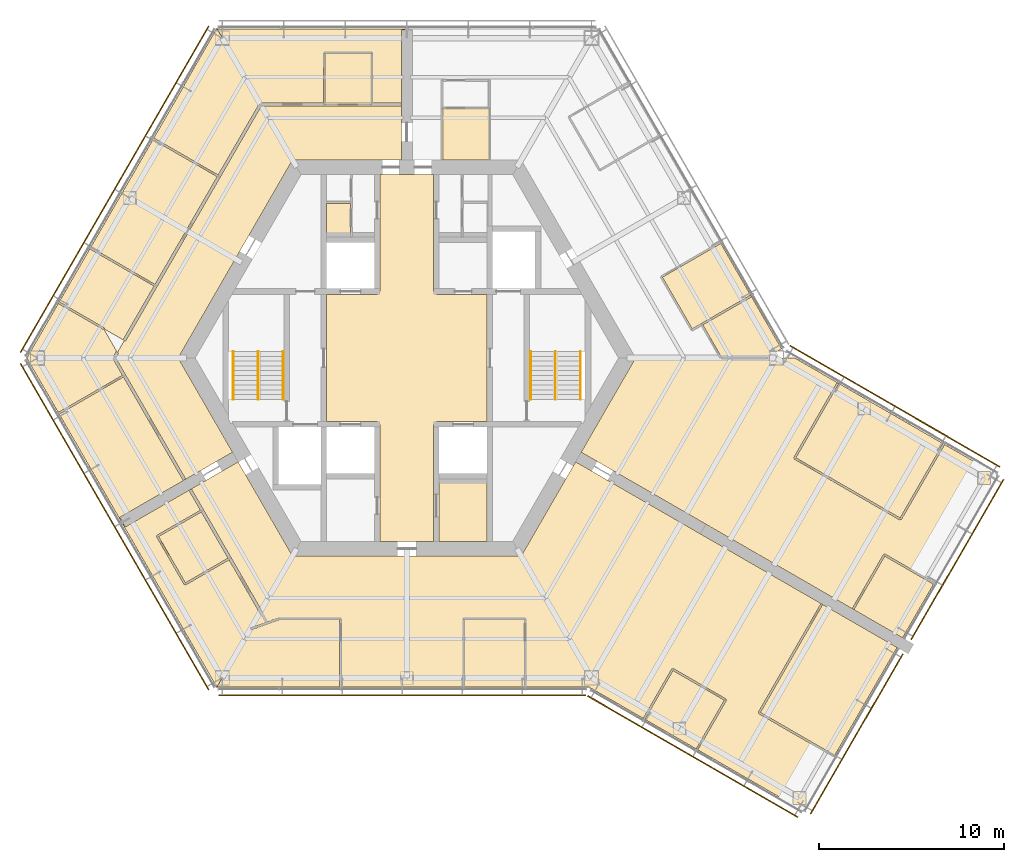
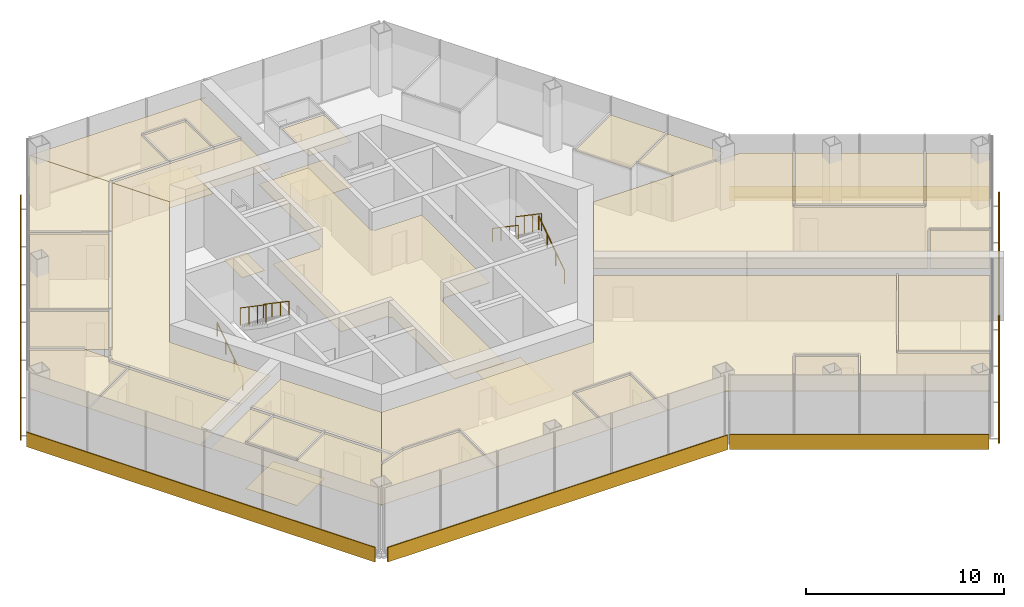
# One storey, part 15 of 16: 29 coverings, 7 shading devices, 6 railings.
"""IFC4 building model written with IfcOpenShell, lengths in metres."""

from ifc_helpers import new_model, si_unit, direction, frame, origin, origin_2d, place, context, subcontext, project, spatial, polyline, rectangle, circle, outline, extrude, material, layer, layer_set, type_object, element, save


model = new_model("IFC4")

# Units and contexts
model_context = context("Model", 3, precision=1e-05, world=origin(), true_north=direction((0.0, 1.0)))
body_context = subcontext(model_context, "Body", "Model", "MODEL_VIEW")
ifc_project = project(units=[si_unit("LENGTHUNIT", "METRE"), si_unit("AREAUNIT", "SQUARE_METRE"), si_unit("VOLUMEUNIT", "CUBIC_METRE"), si_unit("PLANEANGLEUNIT", "RADIAN"), si_unit("MASSUNIT", "GRAM", prefix="KILO")], contexts=[model_context])

# Site, building, storey
site_placement = place(None, origin())
site = spatial("IfcSite", under=ifc_project, at=site_placement, CompositionType="ELEMENT")
building_placement = place(site_placement, origin())
building = spatial("IfcBuilding", under=site, at=building_placement, Name="Kasaneha Research Tower", CompositionType="ELEMENT")
storey_placement = place(building_placement, frame((0.0, 0.0, 251.800048828125)))
storey = spatial("IfcBuildingStorey", under=building, at=storey_placement, Name="L63", CompositionType="ELEMENT", Elevation=251.800048828125)

# Covering
ifc_material_1 = material(Name="Aluminium panel ceiling", Category="aluminium")
ifc_layer_1 = layer(ifc_material_1, 0.0400390625)
ifc_layer_set_1 = layer_set([ifc_layer_1], Name="Lift lobby ceiling 40")
covering_type_1 = type_object("IfcCoveringType", Name="Lift lobby ceiling 40", PredefinedType="CEILING", material=ifc_layer_set_1)
covering_1_placement = place(storey_placement, frame((0.0, 0.0, 2.699951171875)))
element("IfcCovering", 1, at=covering_1_placement, inside=storey, type_object=covering_type_1, Name="Ceiling L63-01", PredefinedType="CEILING", context=body_context, shape_type="SweptSolid", body=[
    extrude(outline(polyline([(1.449951171875, 9.925048828125), (1.449951171875, 3.60009765625), (1.60009765625, 3.60009765625), (1.60009765625, 3.449951171875), (4.35009765625, 3.449951171875), (4.35009765625, -3.449951171875), (1.60009765625, -3.449951171875), (1.60009765625, -3.60009765625), (1.449951171875, -3.60009765625), (1.449951171875, -9.925048828125), (-1.449951171875, -9.925048828125), (-1.449951171875, -3.60009765625), (-1.60009765625, -3.60009765625), (-1.60009765625, -3.449951171875), (-4.35009765625, -3.449951171875), (-4.35009765625, 3.449951171875), (-1.60009765625, 3.449951171875), (-1.60009765625, 3.60009765625), (-1.449951171875, 3.60009765625), (-1.449951171875, 9.925048828125), (1.449951171875, 9.925048828125)])), origin(), (0.0, 0.0, 1.0), 0.0400390625),
])

# Railings
ifc_material_2 = material(Name="Steel", Category="steel")
railing_type_1 = type_object("IfcRailingType", Name="Stair balustrade 1100", PredefinedType="GUARDRAIL", material=ifc_material_2)
for number, where, name in (
    (2, (8.050048828125, 0.35009765625, 2.127197265625), "Stair 1 balustrade L63"),
    (3, (-8.050048828125, 0.35009765625, 2.127197265625), "Stair 2 balustrade L63"),
):
    element("IfcRailing", number, at=place(storey_placement, frame(where)), inside=storey, type_object=railing_type_1, Name=name, PredefinedType="GUARDRAIL", context=body_context, shape_type="SweptSolid", body=[
        extrude(circle(Radius=0.02392578125, at=origin_2d()), frame((0.0, 0.0, 1.076171875), z_axis=(0.0, -0.826240473404, 0.563317565952), x_axis=(1.0, 0.0, 0.0)), (0.0, 0.0, 1.0), 3.14697265625),
        extrude(circle(Radius=0.02099609375, at=origin_2d()), origin(), (0.0, 0.0, 1.0), 1.052001953125),
        extrude(circle(Radius=0.02099609375, at=origin_2d()), frame((0.0, -0.86669921875, 0.5908203125)), (0.0, 0.0, 1.0), 1.052001953125),
        extrude(circle(Radius=0.02099609375, at=origin_2d()), frame((0.0, -1.7333984375, 1.181884765625)), (0.0, 0.0, 1.0), 1.052001953125),
        extrude(circle(Radius=0.02099609375, at=origin_2d()), frame((0.0, -2.60009765625, 1.772705078125)), (0.0, 0.0, 1.0), 1.052001953125),
    ])
ifc_material_3 = material(Name="Steel", Category="steel")
railing_type_2 = type_object("IfcRailingType", Name="Stair handrail 850", PredefinedType="HANDRAIL", material=ifc_material_3)
railing_1_placement = place(storey_placement, frame((9.39990234375, -2.25, 0.17724609375)))
element("IfcRailing", 4, at=railing_1_placement, inside=storey, type_object=railing_type_2, Name="Stair 1 handrail L63", PredefinedType="HANDRAIL", context=body_context, shape_type="SweptSolid", body=[
    extrude(circle(Radius=0.02392578125, at=origin_2d()), frame((0.0, 0.0, 0.826171875), z_axis=(0.0, 0.826240473404, 0.563317565952), x_axis=(-1.0, 0.0, 0.0)), (0.0, 0.0, 1.0), 3.14697265625),
    extrude(circle(Radius=0.02099609375, at=origin_2d()), origin(), (0.0, 0.0, 1.0), 0.802001953125),
    extrude(circle(Radius=0.02099609375, at=origin_2d()), frame((0.0, 0.86669921875, 0.5908203125)), (0.0, 0.0, 1.0), 0.802001953125),
    extrude(circle(Radius=0.02099609375, at=origin_2d()), frame((0.0, 1.7333984375, 1.181884765625)), (0.0, 0.0, 1.0), 0.802001953125),
    extrude(circle(Radius=0.02099609375, at=origin_2d()), frame((0.0, 2.60009765625, 1.772705078125)), (0.0, 0.0, 1.0), 0.802001953125),
])
railing_2_placement = place(storey_placement, frame((6.699951171875, 0.35009765625, 2.127197265625)))
element("IfcRailing", 5, at=railing_2_placement, inside=storey, type_object=railing_type_2, Name="Stair 1 handrail L63", PredefinedType="HANDRAIL", context=body_context, shape_type="SweptSolid", body=[
    extrude(circle(Radius=0.02392578125, at=origin_2d()), frame((0.0, 0.0, 0.826171875), z_axis=(0.0, -0.826240473404, 0.563317565952), x_axis=(1.0, 0.0, 0.0)), (0.0, 0.0, 1.0), 3.14697265625),
    extrude(circle(Radius=0.02099609375, at=origin_2d()), origin(), (0.0, 0.0, 1.0), 0.802001953125),
    extrude(circle(Radius=0.02099609375, at=origin_2d()), frame((0.0, -0.86669921875, 0.5908203125)), (0.0, 0.0, 1.0), 0.802001953125),
    extrude(circle(Radius=0.02099609375, at=origin_2d()), frame((0.0, -1.7333984375, 1.181884765625)), (0.0, 0.0, 1.0), 0.802001953125),
    extrude(circle(Radius=0.02099609375, at=origin_2d()), frame((0.0, -2.60009765625, 1.772705078125)), (0.0, 0.0, 1.0), 0.802001953125),
])
railing_3_placement = place(storey_placement, frame((-9.39990234375, -2.25, 0.17724609375)))
element("IfcRailing", 6, at=railing_3_placement, inside=storey, type_object=railing_type_2, Name="Stair 2 handrail L63", PredefinedType="HANDRAIL", context=body_context, shape_type="SweptSolid", body=[
    extrude(circle(Radius=0.02392578125, at=origin_2d()), frame((0.0, 0.0, 0.826171875), z_axis=(0.0, 0.826240473404, 0.563317565952), x_axis=(-1.0, 0.0, 0.0)), (0.0, 0.0, 1.0), 3.14697265625),
    extrude(circle(Radius=0.02099609375, at=origin_2d()), origin(), (0.0, 0.0, 1.0), 0.802001953125),
    extrude(circle(Radius=0.02099609375, at=origin_2d()), frame((0.0, 0.86669921875, 0.5908203125)), (0.0, 0.0, 1.0), 0.802001953125),
    extrude(circle(Radius=0.02099609375, at=origin_2d()), frame((0.0, 1.7333984375, 1.181884765625)), (0.0, 0.0, 1.0), 0.802001953125),
    extrude(circle(Radius=0.02099609375, at=origin_2d()), frame((0.0, 2.60009765625, 1.772705078125)), (0.0, 0.0, 1.0), 0.802001953125),
])
railing_4_placement = place(storey_placement, frame((-6.699951171875, 0.35009765625, 2.127197265625)))
element("IfcRailing", 7, at=railing_4_placement, inside=storey, type_object=railing_type_2, Name="Stair 2 handrail L63", PredefinedType="HANDRAIL", context=body_context, shape_type="SweptSolid", body=[
    extrude(circle(Radius=0.02392578125, at=origin_2d()), frame((0.0, 0.0, 0.826171875), z_axis=(0.0, -0.826240473404, 0.563317565952), x_axis=(1.0, 0.0, 0.0)), (0.0, 0.0, 1.0), 3.14697265625),
    extrude(circle(Radius=0.02099609375, at=origin_2d()), origin(), (0.0, 0.0, 1.0), 0.802001953125),
    extrude(circle(Radius=0.02099609375, at=origin_2d()), frame((0.0, -0.86669921875, 0.5908203125)), (0.0, 0.0, 1.0), 0.802001953125),
    extrude(circle(Radius=0.02099609375, at=origin_2d()), frame((0.0, -1.7333984375, 1.181884765625)), (0.0, 0.0, 1.0), 0.802001953125),
    extrude(circle(Radius=0.02099609375, at=origin_2d()), frame((0.0, -2.60009765625, 1.772705078125)), (0.0, 0.0, 1.0), 0.802001953125),
])

# Coverings
ifc_material_4 = material(Name="Gypsum ceiling board", Category="gypsum")
ifc_layer_2 = layer(ifc_material_4, 0.02001953125)
ifc_layer_set_2 = layer_set([ifc_layer_2], Name="Suspended ceiling 20")
covering_type_2 = type_object("IfcCoveringType", Name="Suspended ceiling 20", PredefinedType="CEILING", material=ifc_layer_set_2)
covering_2_placement = place(storey_placement, frame((0.0, 0.0, 2.800048828125)))
element("IfcCovering", 8, at=covering_2_placement, inside=storey, type_object=covering_type_2, Name="Ceiling L63-26", PredefinedType="CEILING", context=body_context, shape_type="SweptSolid", body=[
    extrude(outline(polyline([(1.89990234375, 10.72509765625), (1.89990234375, 10.7451171875), (1.949951171875, 10.744873046875), (1.95458984375, 13.469970703125), (4.410400390625, 13.469970703125), (4.4150390625, 10.744873046875), (4.465087890625, 10.7451171875), (4.465087890625, 10.72509765625), (1.89990234375, 10.72509765625)])), origin(), (0.0, 0.0, 1.0), 0.02001953125),
])
covering_3_placement = place(storey_placement, frame((0.0, 0.0, 2.800048828125)))
element("IfcCovering", 9, at=covering_3_placement, inside=storey, type_object=covering_type_2, Name="Ceiling L63-28", PredefinedType="CEILING", context=body_context, shape_type="SweptSolid", body=[
    extrude(outline(polyline([(18.63720703125, 3.360595703125), (18.619873046875, 3.3505859375), (18.5947265625, 3.393798828125), (15.923095703125, 1.851318359375), (15.923095703125, 1.851318359375), (15.451171875, 1.578857421875), (13.835693359375, 4.376953125), (16.99658203125, 6.201904296875), (18.63720703125, 3.360595703125)])), origin(), (0.0, 0.0, 1.0), 0.02001953125),
])
covering_4_placement = place(storey_placement, frame((0.0, 0.0, 2.800048828125)))
element("IfcCovering", 10, at=covering_4_placement, inside=storey, type_object=covering_type_2, Name="Ceiling L63-30", PredefinedType="CEILING", context=body_context, shape_type="SweptSolid", body=[
    extrude(outline(polyline([(16.997802734375, 0.0), (16.986328125, 0.02001953125), (17.029541015625, 0.044921875), (16.024658203125, 1.79443359375), (18.644775390625, 3.30712890625), (18.619873046875, 3.3505859375), (18.63720703125, 3.360595703125), (20.28759765625, 0.501708984375), (19.41845703125, 0.0), (16.997802734375, 0.0)])), origin(), (0.0, 0.0, 1.0), 0.02001953125),
])
covering_5_placement = place(storey_placement, frame((0.0, 0.0, 2.800048828125)))
element("IfcCovering", 11, at=covering_5_placement, inside=storey, type_object=covering_type_2, Name="Ceiling L63-32", PredefinedType="CEILING", context=body_context, shape_type="SweptSolid", body=[
    extrude(outline(polyline([(-0.300048828125, 11.72509765625), (-0.300048828125, 10.72509765625), (-6.192138671875, 10.72509765625), (-7.880859375, 13.64990234375), (-4.469970703125, 13.64990234375), (-4.46044921875, 13.64990234375), (-1.904541015625, 13.64990234375), (-1.89501953125, 13.64990234375), (-0.320068359375, 13.64990234375), (-0.320068359375, 13.72509765625), (-0.300048828125, 13.72509765625), (-0.300048828125, 12.72509765625), (-0.300048828125, 11.72509765625)])), origin(), (0.0, 0.0, 1.0), 0.02001953125),
])
covering_6_placement = place(storey_placement, frame((0.0, 0.0, 2.800048828125)))
element("IfcCovering", 12, at=covering_6_placement, inside=storey, type_object=covering_type_2, Name="Ceiling L63-33", PredefinedType="CEILING", context=body_context, shape_type="SweptSolid", body=[
    extrude(outline(polyline([(-1.9501953125, 16.47509765625), (-1.954345703125, 13.800048828125), (-4.41064453125, 13.800048828125), (-4.4150390625, 16.47509765625), (-1.9501953125, 16.47509765625)])), origin(), (0.0, 0.0, 1.0), 0.02001953125),
])
covering_7_placement = place(storey_placement, frame((0.0, 0.0, 2.800048828125)))
element("IfcCovering", 13, at=covering_7_placement, inside=storey, type_object=covering_type_2, Name="Ceiling L63-34", PredefinedType="CEILING", context=body_context, shape_type="SweptSolid", body=[
    extrude(outline(polyline([(-0.320068359375, 13.7255859375), (-0.320068359375, 13.800048828125), (-1.8544921875, 13.800048828125), (-1.85009765625, 16.52490234375), (-1.899658203125, 16.52490234375), (-1.899658203125, 16.525390625), (-1.89990234375, 16.525390625), (-1.89990234375, 16.574951171875), (-4.465087890625, 16.574951171875), (-4.465087890625, 16.525390625), (-4.465087890625, 16.52490234375), (-4.514892578125, 16.52490234375), (-4.510498046875, 13.800048828125), (-7.90087890625, 13.800048828125), (-7.90087890625, 13.725341796875), (-7.92431640625, 13.725341796875), (-10.28857421875, 17.820556640625), (0.0, 17.820556640625), (0.0, 17.7705078125), (-0.300048828125, 17.7705078125), (-0.300048828125, 17.7705078125), (-0.300048828125, 13.7255859375), (-0.320068359375, 13.7255859375)])), origin(), (0.0, 0.0, 1.0), 0.02001953125),
])
covering_8_placement = place(storey_placement, frame((0.0, 0.0, 2.800048828125)))
element("IfcCovering", 14, at=covering_8_placement, inside=storey, type_object=covering_type_2, Name="Ceiling L63-35", PredefinedType="CEILING", context=body_context, shape_type="SweptSolid", body=[
    extrude(outline(polyline([(-12.38427734375, 0.0), (-9.438232421875, -5.102783203125), (-10.30419921875, -5.602783203125), (-10.30419921875, -5.602783203125), (-11.170166015625, -6.102783203125), (-11.170166015625, -6.102783203125), (-12.0361328125, -6.602783203125), (-12.046142578125, -6.58544921875), (-11.981201171875, -6.5478515625), (-15.239013671875, -0.905517578125), (-15.239013671875, -0.905517578125), (-15.76171875, 0.0), (-15.607177734375, 0.267578125), (-15.672119140625, 0.304931640625), (-15.30419921875, 0.9423828125), (-15.2392578125, 0.90478515625), (-13.5263671875, 3.871337890625), (-13.526611328125, 3.871337890625), (-10.111328125, 9.786865234375), (-10.111328125, 9.786865234375), (-7.880859375, 13.64990234375), (-7.880859375, 13.64990234375), (-6.192138671875, 10.72509765625), (-12.38427734375, 0.0)])), origin(), (0.0, 0.0, 1.0), 0.02001953125),
])
covering_9_placement = place(storey_placement, frame((0.0, 0.0, 2.800048828125)))
element("IfcCovering", 15, at=covering_9_placement, inside=storey, type_object=covering_type_2, Name="Ceiling L63-36", PredefinedType="CEILING", context=body_context, shape_type="SweptSolid", body=[
    extrude(outline(polyline([(-12.027587890625, 14.83251953125), (-10.299072265625, 17.826416015625), (-10.291748046875, 17.83203125), (-10.282470703125, 17.830810546875), (-7.912353515625, 13.725830078125), (-7.917236328125, 13.714111328125), (-7.924560546875, 13.725341796875), (-7.93603515625, 13.705322265625), (-8.000732421875, 13.742431640625), (-10.21630859375, 9.905029296875), (-13.7001953125, 11.911376953125), (-12.023193359375, 14.816162109375), (-12.029052734375, 14.82373046875), (-12.027587890625, 14.83251953125)])), origin(), (0.0, 0.0, 1.0), 0.02001953125),
])
covering_10_placement = place(storey_placement, frame((0.0, 0.0, 2.800048828125)))
element("IfcCovering", 16, at=covering_10_placement, inside=storey, type_object=covering_type_2, Name="Ceiling L63-37", PredefinedType="CEILING", context=body_context, shape_type="SweptSolid", body=[
    extrude(outline(polyline([(-17.12353515625, 5.9423828125), (-17.1484375, 5.899169921875), (-13.68603515625, 3.89501953125), (-15.36669921875, 0.984130859375), (-16.413330078125, 1.58837890625), (-16.38818359375, 1.6318359375), (-18.823486328125, 3.037841796875), (-17.140869140625, 5.952392578125), (-17.12353515625, 5.9423828125)])), origin(), (0.0, 0.0, 1.0), 0.02001953125),
])
covering_11_placement = place(storey_placement, frame((0.0, 0.0, 2.800048828125)))
element("IfcCovering", 17, at=covering_11_placement, inside=storey, type_object=covering_type_2, Name="Ceiling L63-38", PredefinedType="CEILING", context=body_context, shape_type="SweptSolid", body=[
    extrude(outline(polyline([(-20.577880859375, 0.0), (-18.873779296875, 2.951171875), (-16.438232421875, 1.545166015625), (-16.416015625, 1.58349609375), (-15.680908203125, 0.31005859375), (-15.737060546875, 0.342529296875), (-15.913330078125, 0.03759765625), (-15.848388671875, 0.0), (-15.913330078125, -0.03759765625), (-15.393798828125, -0.937255859375), (-18.87353515625, -2.951171875), (-20.577880859375, 0.0)])), origin(), (0.0, 0.0, 1.0), 0.02001953125),
])
covering_12_placement = place(storey_placement, frame((0.0, 0.0, 2.800048828125)))
element("IfcCovering", 18, at=covering_12_placement, inside=storey, type_object=covering_type_2, Name="Ceiling L63-39", PredefinedType="CEILING", context=body_context, shape_type="SweptSolid", body=[
    extrude(outline(polyline([(-17.140380859375, 5.952880859375), (-13.750244140625, 11.82470703125), (-10.26611328125, 9.818359375), (-13.63623046875, 3.981689453125), (-17.098388671875, 5.985595703125), (-17.123291015625, 5.94287109375), (-17.140380859375, 5.952880859375)])), origin(), (0.0, 0.0, 1.0), 0.02001953125),
])
covering_13_placement = place(storey_placement, frame((0.0, 0.0, 2.800048828125)))
element("IfcCovering", 19, at=covering_13_placement, inside=storey, type_object=covering_type_2, Name="Ceiling L63-40", PredefinedType="CEILING", context=body_context, shape_type="SweptSolid", body=[
    extrude(outline(polyline([(-15.539794921875, -8.62548828125), (-15.3896484375, -8.88525390625), (-15.43310546875, -8.91015625), (-18.823486328125, -3.037841796875), (-15.34375, -1.023681640625), (-12.111083984375, -6.622802734375), (-12.046630859375, -6.585693359375), (-12.03662109375, -6.60302734375), (-15.539794921875, -8.62548828125), (-15.539794921875, -8.62548828125), (-15.539794921875, -8.62548828125)])), origin(), (0.0, 0.0, 1.0), 0.02001953125),
])
covering_14_placement = place(storey_placement, frame((0.0, 0.0, 2.800048828125)))
element("IfcCovering", 20, at=covering_14_placement, inside=storey, type_object=covering_type_2, Name="Ceiling L63-41", PredefinedType="CEILING", context=body_context, shape_type="SweptSolid", body=[
    extrude(outline(polyline([(-10.8701171875, -6.622314453125), (-10.004150390625, -6.122314453125), (-10.004150390625, -6.122314453125), (-9.13818359375, -5.622314453125), (-6.192138671875, -10.72509765625), (-7.880859375, -13.64990234375), (-9.5234375, -10.8046875), (-9.5234375, -10.804931640625), (-11.023681640625, -8.206298828125), (-11.023681640625, -8.206298828125), (-11.6611328125, -7.10205078125), (-11.726318359375, -7.1396484375), (-11.736083984375, -7.122314453125), (-10.8701171875, -6.622314453125), (-10.8701171875, -6.622314453125)])), origin(), (0.0, 0.0, 1.0), 0.02001953125),
])
covering_15_placement = place(storey_placement, frame((0.0, 0.0, 2.800048828125)))
element("IfcCovering", 21, at=covering_15_placement, inside=storey, type_object=covering_type_2, Name="Ceiling L63-42", PredefinedType="CEILING", context=body_context, shape_type="SweptSolid", body=[
    extrude(outline(polyline([(-13.44287109375, -9.66650390625), (-11.1240234375, -8.332763671875), (-9.67822265625, -10.836669921875), (-11.992919921875, -12.177734375), (-13.44287109375, -9.66650390625)])), origin(), (0.0, 0.0, 1.0), 0.02001953125),
])
covering_16_placement = place(storey_placement, frame((0.0, 0.0, 2.800048828125)))
element("IfcCovering", 22, at=covering_16_placement, inside=storey, type_object=covering_type_2, Name="Ceiling L63-43", PredefinedType="CEILING", context=body_context, shape_type="SweptSolid", body=[
    extrude(outline(polyline([(-11.7265625, -7.139892578125), (-11.791259765625, -7.177001953125), (-11.174072265625, -8.24609375), (-13.5361328125, -9.604736328125), (-13.51123046875, -9.64794921875), (-13.511474609375, -9.648193359375), (-13.511474609375, -9.648193359375), (-13.554443359375, -9.673095703125), (-12.054443359375, -12.271240234375), (-12.011474609375, -12.246337890625), (-12.011474609375, -12.24658203125), (-12.010986328125, -12.246337890625), (-11.986083984375, -12.28955078125), (-9.628173828125, -10.923095703125), (-8.000732421875, -13.742431640625), (-7.93603515625, -13.705322265625), (-7.92431640625, -13.725341796875), (-8.435302734375, -14.610107421875), (-8.461669921875, -14.61962890625), (-8.45361328125, -14.64208984375), (-10.28857421875, -17.820556640625), (-15.43310546875, -8.91015625), (-15.3896484375, -8.88525390625), (-15.23974609375, -9.14501953125), (-15.23974609375, -9.14501953125), (-15.23974609375, -9.14501953125), (-11.736572265625, -7.12255859375), (-11.7265625, -7.139892578125)])), origin(), (0.0, 0.0, 1.0), 0.02001953125),
])
covering_17_placement = place(storey_placement, frame((0.0, 0.0, 2.800048828125)))
element("IfcCovering", 23, at=covering_17_placement, inside=storey, type_object=covering_type_2, Name="Ceiling L63-44", PredefinedType="CEILING", context=body_context, shape_type="SweptSolid", body=[
    extrude(outline(polyline([(29.03173828125, -4.63720703125), (26.706787109375, -8.6640625), (21.060546875, -5.404296875), (23.37548828125, -1.39453125), (23.332275390625, -1.36962890625), (23.34228515625, -1.352294921875), (29.03173828125, -4.63720703125)])), origin(), (0.0, 0.0, 1.0), 0.02001953125),
])
covering_18_placement = place(storey_placement, frame((0.0, 0.0, 2.800048828125)))
element("IfcCovering", 24, at=covering_18_placement, inside=storey, type_object=covering_type_2, Name="Ceiling L63-45", PredefinedType="CEILING", context=body_context, shape_type="SweptSolid", body=[
    extrude(outline(polyline([(24.15673828125, -13.600341796875), (24.166748046875, -13.5830078125), (24.2099609375, -13.608154296875), (25.875, -10.724365234375), (28.516357421875, -12.249267578125), (26.84130859375, -15.150390625), (24.15673828125, -13.600341796875)])), origin(), (0.0, 0.0, 1.0), 0.02001953125),
])
covering_19_placement = place(storey_placement, frame((0.0, 0.0, 2.800048828125)))
element("IfcCovering", 25, at=covering_19_placement, inside=storey, type_object=covering_type_2, Name="Ceiling L63-46", PredefinedType="CEILING", context=body_context, shape_type="SweptSolid", body=[
    extrude(outline(polyline([(10.30419921875, -5.602783203125), (10.30419921875, -5.602783203125), (9.438232421875, -5.102783203125), (12.38427734375, 0.0), (16.93994140625, 0.0), (16.94287109375, -0.0048828125), (16.951416015625, 0.0), (21.0, 0.0), (23.341796875, -1.35205078125), (23.331787109375, -1.369384765625), (23.288818359375, -1.344482421875), (20.948974609375, -5.397705078125), (20.9921875, -5.422607421875), (20.96728515625, -5.4658203125), (26.699951171875, -8.775634765625), (26.724853515625, -8.73291015625), (26.724853515625, -8.73291015625), (26.72509765625, -8.732421875), (26.768310546875, -8.75732421875), (29.1181640625, -4.68701171875), (31.94140625, -6.31689453125), (28.56640625, -12.16259765625), (25.881591796875, -10.61279296875), (25.85693359375, -10.65576171875), (25.8564453125, -10.655517578125), (25.8564453125, -10.65576171875), (25.8134765625, -10.631103515625), (24.123291015625, -13.55810546875), (24.166259765625, -13.582763671875), (24.15625, -13.60009765625), (11.170166015625, -6.102783203125), (11.170166015625, -6.102783203125), (10.30419921875, -5.602783203125)])), origin(), (0.0, 0.0, 1.0), 0.02001953125),
])
covering_20_placement = place(storey_placement, frame((0.0, 0.0, 2.800048828125)))
element("IfcCovering", 26, at=covering_20_placement, inside=storey, type_object=covering_type_2, Name="Ceiling L63-47", PredefinedType="CEILING", context=body_context, shape_type="SweptSolid", body=[
    extrude(outline(polyline([(-10.2890625, -17.820556640625), (-8.474609375, -14.67724609375), (-8.44482421875, -14.666748046875), (-8.427734375, -14.7138671875), (-6.906982421875, -14.16943359375), (-3.634521484375, -14.17041015625), (-3.634521484375, -17.800537109375), (-3.58447265625, -17.800537109375), (-3.58447265625, -17.820556640625), (-6.916015625, -17.821044921875), (-10.2890625, -17.820556640625)])), origin(), (0.0, 0.0, 1.0), 0.02001953125),
])
covering_21_placement = place(storey_placement, frame((0.0, 0.0, 2.800048828125)))
element("IfcCovering", 27, at=covering_21_placement, inside=storey, type_object=covering_type_2, Name="Ceiling L63-48", PredefinedType="CEILING", context=body_context, shape_type="SweptSolid", body=[
    extrude(outline(polyline([(3.077392578125, -17.820556640625), (3.077392578125, -17.800537109375), (3.12744140625, -17.800537109375), (3.12744140625, -14.17041015625), (6.3583984375, -14.17041015625), (6.3583984375, -17.800537109375), (6.408203125, -17.800537109375), (6.408203125, -17.820556640625), (3.077392578125, -17.820556640625)])), origin(), (0.0, 0.0, 1.0), 0.02001953125),
])
covering_22_placement = place(storey_placement, frame((0.0, 0.0, 2.800048828125)))
element("IfcCovering", 28, at=covering_22_placement, inside=storey, type_object=covering_type_2, Name="Ceiling L63-49", PredefinedType="CEILING", context=body_context, shape_type="SweptSolid", body=[
    extrude(outline(polyline([(23.141357421875, -21.55908203125), (23.1240234375, -21.549072265625), (23.14892578125, -21.505615234375), (19.139404296875, -19.190673828125), (22.50439453125, -13.3623046875), (22.4609375, -13.33740234375), (22.470947265625, -13.320068359375), (24.588623046875, -14.542724609375), (26.541259765625, -15.670166015625), (23.141357421875, -21.55908203125)])), origin(), (0.0, 0.0, 1.0), 0.02001953125),
])
covering_23_placement = place(storey_placement, frame((0.0, 0.0, 2.800048828125)))
element("IfcCovering", 29, at=covering_23_placement, inside=storey, type_object=covering_type_2, Name="Ceiling L63-50", PredefinedType="CEILING", context=body_context, shape_type="SweptSolid", body=[
    extrude(outline(polyline([(12.885498046875, -19.563720703125), (14.410400390625, -16.92236328125), (17.190185546875, -18.52734375), (15.665283203125, -21.168701171875), (12.885498046875, -19.563720703125)])), origin(), (0.0, 0.0, 1.0), 0.02001953125),
])
covering_24_placement = place(storey_placement, frame((0.0, 0.0, 2.800048828125)))
element("IfcCovering", 30, at=covering_24_placement, inside=storey, type_object=covering_type_2, Name="Ceiling L63-51", PredefinedType="CEILING", context=body_context, shape_type="SweptSolid", body=[
    extrude(outline(polyline([(9.13818359375, -5.622314453125), (10.004150390625, -6.122314453125), (10.004150390625, -6.122314453125), (10.8701171875, -6.622314453125), (10.8701171875, -6.622314453125), (17.888427734375, -10.67431640625), (22.470703125, -13.31982421875), (22.460693359375, -13.337158203125), (22.417724609375, -13.3125), (19.027587890625, -19.18408203125), (19.070556640625, -19.208740234375), (19.070556640625, -19.208984375), (19.07080078125, -19.209228515625), (19.0458984375, -19.252197265625), (23.09912109375, -21.59228515625), (23.123779296875, -21.549560546875), (23.14111328125, -21.5595703125), (21.44140625, -24.50341796875), (15.751953125, -21.21875), (17.302001953125, -18.533935546875), (17.2587890625, -18.50927734375), (17.259033203125, -18.5087890625), (17.2587890625, -18.5087890625), (17.28369140625, -18.4658203125), (14.417236328125, -16.810791015625), (14.392333984375, -16.853759765625), (14.392333984375, -16.853759765625), (14.39208984375, -16.85400390625), (14.348876953125, -16.8291015625), (12.798828125, -19.513916015625), (9.865966796875, -17.820556640625), (6.40869140625, -17.820556640625), (6.40869140625, -17.800537109375), (6.458251953125, -17.800537109375), (6.458251953125, -14.12060546875), (6.408447265625, -14.12060546875), (6.408447265625, -14.1201171875), (6.408203125, -14.1201171875), (6.408203125, -14.070556640625), (3.077392578125, -14.070556640625), (3.077392578125, -14.1201171875), (3.076904296875, -14.1201171875), (3.076904296875, -14.12060546875), (3.02734375, -14.12060546875), (3.02734375, -17.800537109375), (3.076904296875, -17.800537109375), (3.076904296875, -17.820556640625), (-3.583984375, -17.820556640625), (-3.583984375, -17.800537109375), (-3.534423828125, -17.800537109375), (-3.534423828125, -14.12060546875), (-3.584228515625, -14.12060546875), (-3.584228515625, -14.1201171875), (-3.58447265625, -14.1201171875), (-3.58447265625, -14.070556640625), (-6.915771484375, -14.069580078125), (-6.915771484375, -14.119384765625), (-6.9326171875, -14.072509765625), (-8.435302734375, -14.610107421875), (-7.901123046875, -13.68505859375), (-7.870849609375, -13.66748046875), (-7.880859375, -13.64990234375), (-6.192138671875, -10.72509765625), (6.192138671875, -10.72509765625), (9.13818359375, -5.622314453125)])), origin(), (0.0, 0.0, 1.0), 0.02001953125),
])

# Shading devices
ifc_material_5 = material(Name="Terracotta", Category="masonry")
ifc_layer_3 = layer(ifc_material_5, 0.06005859375)
ifc_layer_set_3 = layer_set([ifc_layer_3], Name="Terracotta baguette screen")
shading_device_type = type_object("IfcShadingDeviceType", Name="Terracotta baguette screen", PredefinedType="USERDEFINED", material=ifc_layer_set_3)
for number, where, z_axis, x_axis, name in (
    (31, (-15.82275390625, 9.13525390625, -0.449951171875), (0.0, 0.0, 1.0), (-0.499999995722, -0.866025406254, 0.0), "Baguette screen L63 03"),
    (32, (-15.82275390625, -9.13525390625, -0.449951171875), (0.0, 0.0, 1.0), (0.499999995722, -0.866025406254, 0.0), "Baguette screen L63 04"),
):
    element("IfcShadingDevice", number, at=place(storey_placement, frame(where, z_axis=z_axis, x_axis=x_axis)), inside=storey, type_object=shading_device_type, Name=name, ObjectType="TERRACOTTA BAGUETTE SCREEN", PredefinedType="USERDEFINED", context=body_context, shape_type="SweptSolid", body=[
        extrude(rectangle(XDim=20.392822265625, YDim=0.06005859375, at=origin_2d()), origin(), (0.0, 0.0, 1.0), 0.89990234375),
    ])
shading_device_1_placement = place(storey_placement, frame((-0.253662109375, -18.2705078125, -0.449951171875), z_axis=(0.0, 0.0, 1.0), x_axis=(1.0, 0.0, 0.0)))
element("IfcShadingDevice", 33, at=shading_device_1_placement, inside=storey, type_object=shading_device_type, Name="Baguette screen L63 05", ObjectType="TERRACOTTA BAGUETTE SCREEN", PredefinedType="USERDEFINED", context=body_context, shape_type="SweptSolid", body=[
    extrude(rectangle(XDim=19.8857421875, YDim=0.06005859375, at=origin_2d()), origin(), (0.0, 0.0, 1.0), 0.89990234375),
])
shading_device_2_placement = place(storey_placement, frame((15.483642578125, -21.58349609375, -0.449951171875), z_axis=(0.0, 0.0, 1.0), x_axis=(0.866025411464, -0.499999986699, 0.0)))
element("IfcShadingDevice", 34, at=shading_device_2_placement, inside=storey, type_object=shading_device_type, Name="Baguette screen L63 06", ObjectType="TERRACOTTA BAGUETTE SCREEN", PredefinedType="USERDEFINED", context=body_context, shape_type="SweptSolid", body=[
    extrude(rectangle(XDim=13.13916015625, YDim=0.06005859375, at=origin_2d()), origin(), (0.0, 0.0, 1.0), 0.89990234375),
])
for number, where, z_axis, x_axis, name in (
    (35, (24.35595703125, -20.35498046875, -0.449951171875), (0.0, 0.0, 1.0), (0.500000011442, 0.866025397178, 0.0), "Baguette screen L63 07"),
    (36, (29.80615234375, -10.91552734375, -0.449951171875), (0.0, 0.0, 1.0), (0.500000011442, 0.866025397178, 0.0), "Baguette screen L63 08"),
):
    element("IfcShadingDevice", number, at=place(storey_placement, frame(where, z_axis=z_axis, x_axis=x_axis)), inside=storey, type_object=shading_device_type, Name=name, ObjectType="TERRACOTTA BAGUETTE SCREEN", PredefinedType="USERDEFINED", context=body_context, shape_type="SweptSolid", body=[
        extrude(rectangle(XDim=10.0, YDim=0.06005859375, at=origin_2d()), origin(), (0.0, 0.0, 1.0), 0.89990234375),
    ])
shading_device_3_placement = place(storey_placement, frame((26.43359375, -2.617431640625, -0.449951171875), z_axis=(0.0, 0.0, 1.0), x_axis=(-0.866025411464, 0.499999986699, 0.0)))
element("IfcShadingDevice", 37, at=shading_device_3_placement, inside=storey, type_object=shading_device_type, Name="Baguette screen L63 09", ObjectType="TERRACOTTA BAGUETTE SCREEN", PredefinedType="USERDEFINED", context=body_context, shape_type="SweptSolid", body=[
    extrude(rectangle(XDim=13.13916015625, YDim=0.06005859375, at=origin_2d()), origin(), (0.0, 0.0, 1.0), 0.89990234375),
])

# Coverings
ifc_material_6 = material(Name="Vinyl sheet flooring", Category="plastic")
ifc_layer_4 = layer(ifc_material_6, 0.0048828125)
ifc_layer_set_4 = layer_set([ifc_layer_4], Name="Wet room sheet flooring 5")
covering_type_3 = type_object("IfcCoveringType", Name="Wet room sheet flooring 5", PredefinedType="FLOORING", material=ifc_layer_set_4)
covering_25_placement = place(storey_placement, origin())
element("IfcCovering", 38, at=covering_25_placement, inside=storey, type_object=covering_type_3, Name="Floor finish L63-07", PredefinedType="FLOORING", context=body_context, shape_type="SweptSolid", body=[
    extrude(outline(polyline([(-4.35009765625, 6.550048828125), (-4.35009765625, 8.375), (-3.050048828125, 8.375), (-3.050048828125, 6.550048828125), (-4.35009765625, 6.550048828125)])), origin(), (0.0, 0.0, 1.0), 0.0048828125),
])
covering_26_placement = place(storey_placement, origin())
element("IfcCovering", 39, at=covering_26_placement, inside=storey, type_object=covering_type_3, Name="Floor finish L63-13", PredefinedType="FLOORING", context=body_context, shape_type="SweptSolid", body=[
    extrude(outline(polyline([(1.75, -9.925048828125), (1.75, -6.550048828125), (4.35009765625, -6.550048828125), (4.35009765625, -9.925048828125), (1.75, -9.925048828125)])), origin(), (0.0, 0.0, 1.0), 0.0048828125),
])
covering_27_placement = place(storey_placement, origin())
element("IfcCovering", 40, at=covering_27_placement, inside=storey, type_object=covering_type_3, Name="Floor finish L63-26", PredefinedType="FLOORING", context=body_context, shape_type="SweptSolid", body=[
    extrude(outline(polyline([(4.465087890625, 13.52490234375), (4.465087890625, 10.72509765625), (1.89990234375, 10.72509765625), (1.89990234375, 13.52490234375), (4.465087890625, 13.52490234375)])), origin(), (0.0, 0.0, 1.0), 0.0048828125),
])
covering_28_placement = place(storey_placement, origin())
element("IfcCovering", 41, at=covering_28_placement, inside=storey, type_object=covering_type_3, Name="Floor finish L63-33", PredefinedType="FLOORING", context=body_context, shape_type="SweptSolid", body=[
    extrude(outline(polyline([(-4.465087890625, 16.52490234375), (-1.89990234375, 16.52490234375), (-1.89990234375, 13.72509765625), (-4.465087890625, 13.72509765625), (-4.465087890625, 16.52490234375)])), origin(), (0.0, 0.0, 1.0), 0.0048828125),
])
covering_29_placement = place(storey_placement, origin())
element("IfcCovering", 42, at=covering_29_placement, inside=storey, type_object=covering_type_3, Name="Floor finish L63-42", PredefinedType="FLOORING", context=body_context, shape_type="SweptSolid", body=[
    extrude(outline(polyline([(-12.010986328125, -12.246337890625), (-13.510986328125, -9.648193359375), (-11.086181640625, -8.248046875), (-9.586181640625, -10.84619140625), (-12.010986328125, -12.246337890625)])), origin(), (0.0, 0.0, 1.0), 0.0048828125),
])

save(model, "model.ifc")
